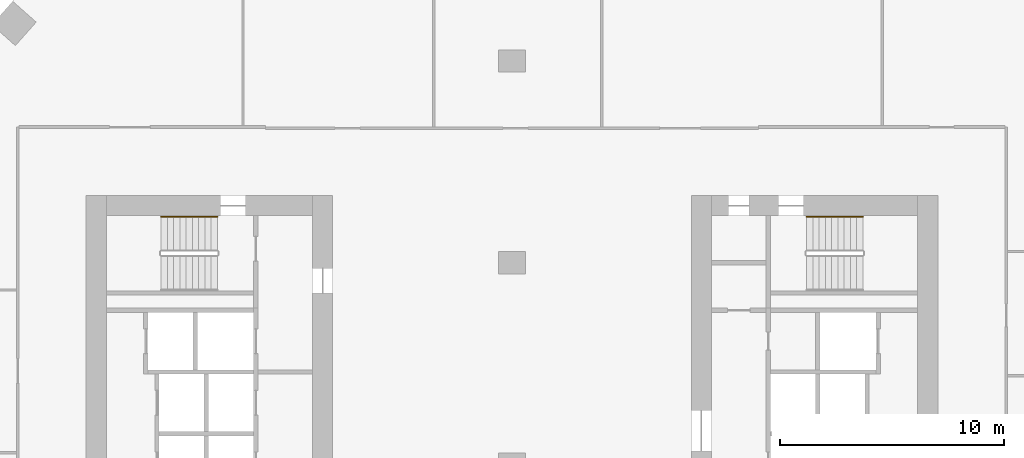
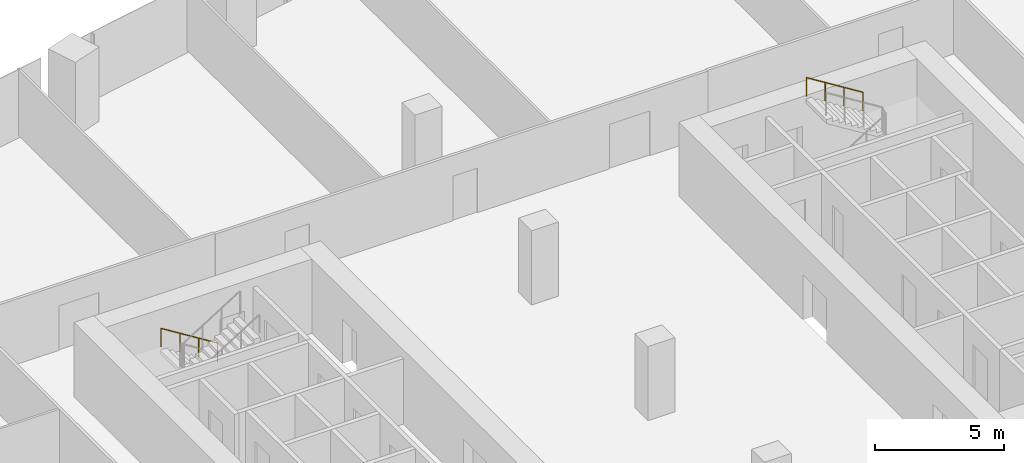
# One storey, part 38 of 38: 2 railings.
"""IFC4 building model written with IfcOpenShell, lengths in metres."""

import ifcopenshell
import ifcopenshell.guid

model = None  # the IFC model being written
_history = None  # IfcOwnerHistory: only IFC2X3 demands one
_inside = {}  # id of a spatial element -> (the spatial element, [elements in it])
_under = {}  # id of a project, library or spatial element -> (it, [spatial elements below it])
_declared = {}  # id of a project -> (the project, [libraries it declares])
_typed = {}  # id of a type object -> (the type object, [elements of that type])
_made_of = {}  # id of a material, layer set ... -> (it, [elements and type objects made of it])


def new_model(schema):
    """Start an empty IFC model of exactly this schema.

    Asked for "IFC4X3", IfcOpenShell would pick the latest addendum, in which some entities
    have other attributes; the version numbers below select the first issue.
    IFC2X3 requires an IfcOwnerHistory on every rooted entity: one is made here for all.
    """
    global model, _history
    if schema == "IFC4X3":
        model = ifcopenshell.file(schema_version=(4, 3, 0, 0))
    else:
        model = ifcopenshell.file(schema=schema)
    _inside.clear()
    _under.clear()
    _declared.clear()
    _typed.clear()
    _made_of.clear()
    _history = None
    if model.schema == "IFC2X3":
        org = make("IfcOrganization", Name="unknown")
        user = make(
            "IfcPersonAndOrganization",
            ThePerson=make("IfcPerson", FamilyName="unknown"),
            TheOrganization=org,
        )
        app = make(
            "IfcApplication",
            ApplicationDeveloper=org,
            Version="unknown",
            ApplicationFullName="unknown",
            ApplicationIdentifier="unknown",
        )
        _history = make(
            "IfcOwnerHistory",
            OwningUser=user,
            OwningApplication=app,
            ChangeAction="ADDED",
            CreationDate=0,
        )
    return model


def make(cls, **values):
    """One entity of the class cls with the attributes given. An attribute that is None is left unset."""
    return model.create_entity(
        cls, **{name: value for name, value in values.items() if value is not None}
    )


def rooted(cls, **values):
    """An entity with a GlobalId (a new one), such as an element, a storey or a relation."""
    return make(cls, GlobalId=ifcopenshell.guid.new(), OwnerHistory=_history, **values)


def si_unit(unit_type, name, prefix=None):
    """IfcSIUnit, for example si_unit("LENGTHUNIT", "METRE", prefix="MILLI")."""
    return make("IfcSIUnit", UnitType=unit_type, Prefix=prefix, Name=name)


def assignment(units):
    """IfcUnitAssignment: the units of a project."""
    return None if units is None else make("IfcUnitAssignment", Units=units)


def point(xyz):
    """IfcCartesianPoint."""
    return None if xyz is None else make("IfcCartesianPoint", Coordinates=xyz)


def direction(xyz):
    """IfcDirection."""
    return None if xyz is None else make("IfcDirection", DirectionRatios=xyz)


def frame(location, z_axis=None, x_axis=None):
    """IfcAxis2Placement3D, a coordinate frame: its origin and axes. An axis left out is left unset."""
    return make(
        "IfcAxis2Placement3D",
        Location=point(location),
        Axis=direction(z_axis),
        RefDirection=direction(x_axis),
    )


def frame_2d(location, x_axis=None):
    """IfcAxis2Placement2D, a coordinate frame in the plane: its origin and x axis."""
    return make(
        "IfcAxis2Placement2D", Location=point(location), RefDirection=direction(x_axis)
    )


def origin():
    """The frame at (0, 0, 0) with its axes left unset."""
    return frame((0.0, 0.0, 0.0))


def origin_2d():
    """The frame at (0, 0) in the plane with its x axis left unset."""
    return frame_2d((0.0, 0.0))


def place(relative_to, where):
    """IfcLocalPlacement: puts the frame where relative to a parent placement (None: the world)."""
    return make(
        "IfcLocalPlacement", PlacementRelTo=relative_to, RelativePlacement=where
    )


def context(
    kind, dimensions, precision=None, world=None, true_north=None, identifier=None
):
    """IfcGeometricRepresentationContext, for example the 3D "Model" context."""
    return make(
        "IfcGeometricRepresentationContext",
        ContextIdentifier=identifier,
        ContextType=kind,
        CoordinateSpaceDimension=dimensions,
        Precision=precision,
        WorldCoordinateSystem=world,
        TrueNorth=true_north,
    )


def subcontext(parent, identifier, kind, view, scale=None):
    """IfcGeometricRepresentationSubContext, for example "Body" below "Model"."""
    return make(
        "IfcGeometricRepresentationSubContext",
        ContextIdentifier=identifier,
        ContextType=kind,
        ParentContext=parent,
        TargetScale=scale,
        TargetView=view,
    )


def project(units=None, contexts=None):
    """IfcProject with its units and contexts."""
    return rooted(
        "IfcProject",
        Name="project",
        RepresentationContexts=contexts,
        UnitsInContext=assignment(units),
    )


def spatial(cls, under=None, at=None, **own):
    """A site, building, storey or space (cls), placed at a placement, below another one or the project."""
    s = rooted(cls, ObjectPlacement=at, **own)
    if under is not None:
        _under.setdefault(under.id(), (under, []))[1].append(s)
    return s


def profile(cls, at=None, kind="AREA", **sizes):
    """A parametric profile (cls). Its sizes go by their IFC names, for example OverallWidth=200.0."""
    return make(cls, ProfileType=kind, Position=at, **sizes)


def circle(**sizes):
    """IfcCircleProfileDef."""
    return profile("IfcCircleProfileDef", **sizes)


def extrude(swept, where, along, depth):
    """IfcExtrudedAreaSolid: the profile swept, set in the frame where, extruded along a direction by depth."""
    return make(
        "IfcExtrudedAreaSolid",
        SweptArea=swept,
        Position=where,
        ExtrudedDirection=direction(along),
        Depth=depth,
    )


def shape(context_of_items, identifier, shape_type, items):
    """IfcShapeRepresentation: the items that make up one representation, for example the "Body"."""
    return make(
        "IfcShapeRepresentation",
        ContextOfItems=context_of_items,
        RepresentationIdentifier=identifier,
        RepresentationType=shape_type,
        Items=items,
    )


def material(Name=None, Category=None):
    """IfcMaterial."""
    return make("IfcMaterial", Name=Name, Category=Category)


def made_of(thing, what):
    """Note that an element or type object is made of a material, layer set ...; save() writes the relation."""
    if what is not None:
        _made_of.setdefault(what.id(), (what, []))[1].append(thing)
    return thing


def type_object(cls, material=None, **own):
    """A type object (cls), such as IfcWallType, which elements share."""
    return made_of(rooted(cls, **own), material)


def element(
    cls,
    number,
    at=None,
    inside=None,
    cuts=None,
    type_object=None,
    material=None,
    context=None,
    identifier="Body",
    shape_type=None,
    held_by="IfcProductDefinitionShape",
    body=None,
    shapes=None,
    **own,
):
    """One element of the class cls, such as IfcWall. Its Tag is "e" and its number.

    at: its placement. inside: the storey or other place that contains it. cuts: it is an
    opening in that element (IfcRelVoidsElement). A single representation is given by context,
    identifier, shape_type and body (its items); several are given by shapes. held_by: the class
    of the entity that holds the representations. save() writes the other relations.
    """
    e = rooted(cls, Tag="e%d" % number, ObjectPlacement=at, **own)
    if body is not None:
        shapes = [shape(context, identifier, shape_type, body)]
    if shapes is not None:
        e.Representation = make(held_by, Representations=shapes)
    if inside is not None:
        _inside.setdefault(inside.id(), (inside, []))[1].append(e)
    if cuts is not None:
        rooted(
            "IfcRelVoidsElement", RelatingBuildingElement=cuts, RelatedOpeningElement=e
        )
    if type_object is not None:
        _typed.setdefault(type_object.id(), (type_object, []))[1].append(e)
    return made_of(e, material)


def aggregate(whole, parts):
    """IfcRelAggregates: a whole, such as a stair, and the parts it consists of."""
    return rooted("IfcRelAggregates", RelatingObject=whole, RelatedObjects=parts)


def save(model, path):
    """Write the relations noted so far, then the file.

    IfcRelAggregates (storeys below a building ...), IfcRelContainedInSpatialStructure (elements
    in a storey), IfcRelDefinesByType, IfcRelAssociatesMaterial and IfcRelDeclares: one each for
    every whole, place, type object, material and project.
    """
    for whole, parts in _under.values():
        aggregate(whole, parts)
    for where, things in _inside.values():
        rooted(
            "IfcRelContainedInSpatialStructure",
            RelatedElements=things,
            RelatingStructure=where,
        )
    for kind, things in _typed.values():
        rooted("IfcRelDefinesByType", RelatedObjects=things, RelatingType=kind)
    for what, things in _made_of.values():
        rooted("IfcRelAssociatesMaterial", RelatedObjects=things, RelatingMaterial=what)
    for by, libraries in _declared.values():
        rooted("IfcRelDeclares", RelatingContext=by, RelatedDefinitions=libraries)
    model.write(path)


model = new_model("IFC4")

# Units and contexts
model_context = context("Model", 3, precision=1e-05, world=origin(), true_north=direction((0.0, 1.0)))
body_context = subcontext(model_context, "Body", "Model", "MODEL_VIEW")
ifc_project = project(units=[si_unit("LENGTHUNIT", "METRE"), si_unit("AREAUNIT", "SQUARE_METRE"), si_unit("VOLUMEUNIT", "CUBIC_METRE"), si_unit("PLANEANGLEUNIT", "RADIAN"), si_unit("MASSUNIT", "GRAM", prefix="KILO")], contexts=[model_context])

# Site, building, storey
site_placement = place(None, origin())
site = spatial("IfcSite", under=ifc_project, at=site_placement, CompositionType="ELEMENT")
building_placement = place(site_placement, origin())
building = spatial("IfcBuilding", under=site, at=building_placement, Name="Orlundy Tower", CompositionType="ELEMENT")
storey_placement = place(building_placement, frame((0.0, 0.0, 62.300048828125)))
storey = spatial("IfcBuildingStorey", under=building, at=storey_placement, Name="L14", CompositionType="ELEMENT", Elevation=62.300048828125)

# Railings
ifc_material = material(Name="Steel handrail", Category="steel")
railing_type = type_object("IfcRailingType", Name="Stair Handrail 900", PredefinedType="HANDRAIL", material=ifc_material)
for number, where, name in (
    (1, (-13.139892578125, 11.050048828125, 0.175048828125), "L14 ST-W1 stair handrail 1"),
    (2, (15.659912109375, 11.050048828125, 1.925048828125), "L14 ST-E2 stair handrail 2"),
):
    element("IfcRailing", number, at=place(storey_placement, frame(where)), inside=storey, type_object=railing_type, Name=name, PredefinedType="HANDRAIL", context=body_context, shape_type="SweptSolid", body=[
        extrude(circle(Radius=0.02392578125, at=origin_2d()), frame((0.0, 0.0, 0.8759765625), z_axis=(-0.848007534815, 0.0, 0.529984170421), x_axis=(0.0, -1.0, 0.0)), (0.0, 0.0, 1.0), 2.9716796875),
        extrude(circle(Radius=0.02099609375, at=origin_2d()), origin(), (0.0, 0.0, 1.0), 0.851806640625),
        extrude(circle(Radius=0.02099609375, at=origin_2d()), frame((-0.840087890625, 0.0, 0.52490234375)), (0.0, 0.0, 1.0), 0.851806640625),
        extrude(circle(Radius=0.02099609375, at=origin_2d()), frame((-1.679931640625, 0.0, 1.050048828125)), (0.0, 0.0, 1.0), 0.851806640625),
        extrude(circle(Radius=0.02099609375, at=origin_2d()), frame((-2.52001953125, 0.0, 1.574951171875)), (0.0, 0.0, 1.0), 0.851806640625),
    ])

save(model, "model.ifc")
